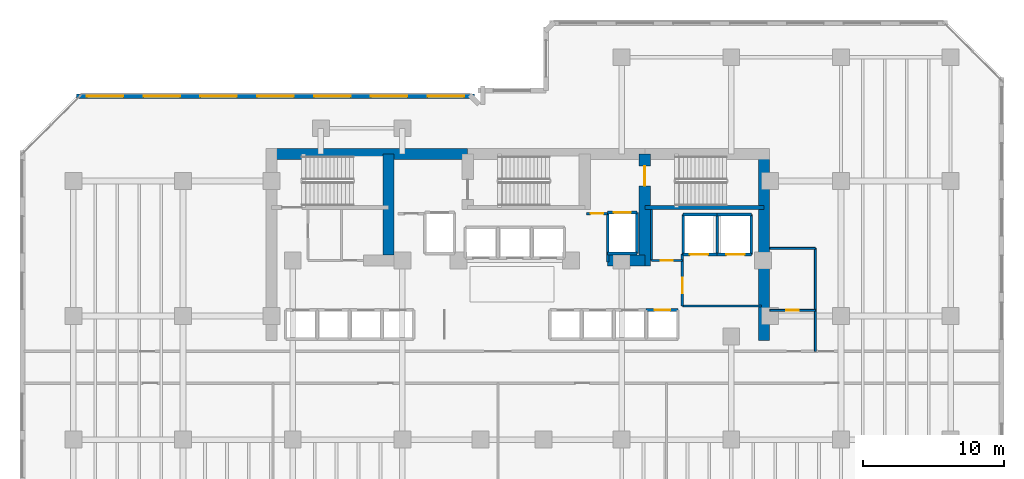
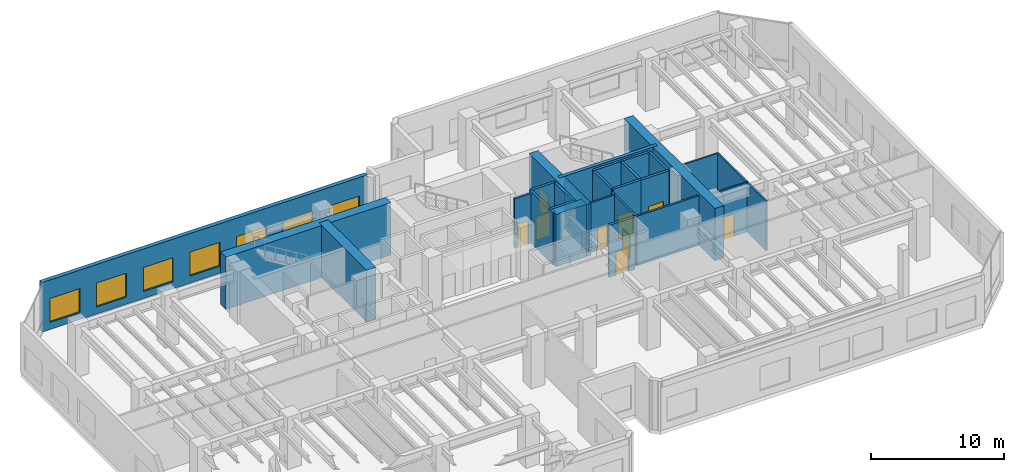
# One storey, part 12 of 17: 27 walls, 9 doors, 7 windows, 16 openings.
"""IFC4 building model written with IfcOpenShell, lengths in metres."""

from ifc_helpers import new_model, si_unit, direction, frame, frame_2d, origin, place, context, subcontext, project, spatial, rectangle, extrude, material, layer, layer_set, type_object, element, fill, save


model = new_model("IFC4")

# Units and contexts
model_context = context("Model", 3, precision=1e-05, world=origin(), true_north=direction((0.0, 1.0)))
body_context = subcontext(model_context, "Body", "Model", "MODEL_VIEW")
ifc_project = project(units=[si_unit("LENGTHUNIT", "METRE"), si_unit("AREAUNIT", "SQUARE_METRE"), si_unit("VOLUMEUNIT", "CUBIC_METRE"), si_unit("PLANEANGLEUNIT", "RADIAN"), si_unit("MASSUNIT", "GRAM", prefix="KILO")], contexts=[model_context])

# Site, building, storey
site_placement = place(None, origin())
site = spatial("IfcSite", under=ifc_project, at=site_placement, CompositionType="ELEMENT")
building_placement = place(site_placement, origin())
building = spatial("IfcBuilding", under=site, at=building_placement, Name="Kestravale Grand Hotel", CompositionType="ELEMENT")
storey_placement = place(building_placement, frame((0.0, 0.0, 129.800048828125)))
storey = spatial("IfcBuildingStorey", under=building, at=storey_placement, Name="L32", CompositionType="ELEMENT", Elevation=129.800048828125)

# Walls
ifc_material_1 = material(Name="Concrete f'c 60 MPa", Category="concrete")
ifc_layer_1 = layer(ifc_material_1, 0.800048828125)
ifc_layer_set_1 = layer_set([ifc_layer_1], Name="EW-CORE-800")
wall_type_1 = type_object("IfcWallType", Name="EW-CORE-800", PredefinedType="SHEAR", material=ifc_layer_set_1)
wall_1_placement = place(storey_placement, frame((21.5, 40.320068359375, 0.0), z_axis=(0.0, 0.0, 1.0), x_axis=(1.0, 0.0, 0.0)))
element("IfcWall", 1, at=wall_1_placement, inside=storey, type_object=wall_type_1, Name="L32 core shear wall N1", PredefinedType="SHEAR", context=body_context, shape_type="SweptSolid", body=[
    extrude(rectangle(XDim=14.35009765625, YDim=0.800048828125, at=frame_2d((7.175048828125, 0.0))), origin(), (0.0, 0.0, 1.0), 4.800048828125),
])
wall_2_placement = place(storey_placement, frame((56.919921875, 27.050048828125, 0.0), z_axis=(0.0, 0.0, 1.0), x_axis=(0.0, 1.0, 0.0)))
element("IfcWall", 2, at=wall_2_placement, inside=storey, type_object=wall_type_1, Name="L32 core shear wall E1", PredefinedType="SHEAR", context=body_context, shape_type="SweptSolid", body=[
    extrude(rectangle(XDim=13.669921875, YDim=0.800048828125, at=frame_2d((6.8349609375, 0.0))), origin(), (0.0, 0.0, 1.0), 4.800048828125),
])
wall_3_placement = place(storey_placement, frame((45.81005859375, 32.75, 0.0), z_axis=(0.0, 0.0, 1.0), x_axis=(1.0, 0.0, 0.0)))
element("IfcWall", 3, at=wall_3_placement, inside=storey, type_object=wall_type_1, Name="L32 core shear wall S2", PredefinedType="SHEAR", context=body_context, shape_type="SweptSolid", body=[
    extrude(rectangle(XDim=2.639892578125, YDim=0.800048828125, at=frame_2d((1.31982421875, 0.0))), origin(), (0.0, 0.0, 1.0), 4.800048828125),
])
wall_4_placement = place(storey_placement, frame((30.219970703125, 33.14990234375, 0.0), z_axis=(0.0, 0.0, 1.0), x_axis=(0.0, 1.0, 0.0)))
element("IfcWall", 4, at=wall_4_placement, inside=storey, type_object=wall_type_1, Name="L32 core shear wall X1", PredefinedType="SHEAR", context=body_context, shape_type="SweptSolid", body=[
    extrude(rectangle(XDim=7.170166015625, YDim=0.800048828125, at=frame_2d((3.5849609375, 0.0))), origin(), (0.0, 0.0, 1.0), 4.800048828125),
])

# Wall, opening, door
wall_5_placement = place(storey_placement, frame((48.449951171875, 32.35009765625, 0.0), z_axis=(0.0, 0.0, 1.0), x_axis=(0.0, 1.0, 0.0)))
wall_5 = element("IfcWall", 5, at=wall_5_placement, inside=storey, type_object=wall_type_1, Name="L32 core shear wall X4", PredefinedType="SHEAR", context=body_context, shape_type="SweptSolid", body=[
    extrude(rectangle(XDim=7.969970703125, YDim=0.800048828125, at=frame_2d((3.98486328125, 0.0))), origin(), (0.0, 0.0, 1.0), 4.800048828125),
])
opening_1_placement = place(wall_5_placement, frame((5.699951171875, 0.0, 0.0)))
opening_1 = element("IfcOpeningElement", 6, at=opening_1_placement, cuts=wall_5, Name="Opening D-ST-1400", PredefinedType="OPENING", context=body_context, shape_type="SweptSolid", body=[
    extrude(rectangle(XDim=1.39990234375, YDim=2.14990234375, at=frame_2d((0.699951171875, 1.074951171875))), frame((0.0, 0.409912109375, 0.0), z_axis=(0.0, -1.0, 0.0), x_axis=(1.0, 0.0, 0.0)), (0.0, 0.0, 1.0), 0.820068359375),
])
ifc_material_2 = material(Name="Galvanised 90-minute fire-rated steel stair door, double leaf", Category="steel")
door_type_1 = type_object("IfcDoorType", Name="D-ST-1400", OperationType="NOTDEFINED", PredefinedType="DOOR", material=ifc_material_2)
door_1_placement = place(opening_1_placement, origin())
door_1 = element("IfcDoor", 7, at=door_1_placement, inside=storey, type_object=door_type_1, Name="L32 Stair ST-3 FSAE fire door", OperationType="DOUBLE_DOOR_SINGLE_SWING", OverallHeight=2.14990234375, OverallWidth=1.39990234375, PredefinedType="DOOR", context=body_context, shape_type="SweptSolid", body=[
    extrude(rectangle(XDim=1.39990234375, YDim=2.14990234375, at=frame_2d((0.699951171875, 1.074951171875))), frame((0.0, 0.02490234375, 0.0), z_axis=(0.0, -1.0, 0.0), x_axis=(1.0, 0.0, 0.0)), (0.0, 0.0, 1.0), 0.050048828125),
])
fill(opening_1, door_1)

# Wall, openings, windows
ifc_material_3 = material(Name="Precast concrete f'c 45 MPa", Category="concrete")
ifc_layer_2 = layer(ifc_material_3, 0.340087890625)
ifc_layer_set_2 = layer_set([ifc_layer_2], Name="EW-PREC-340")
wall_type_2 = type_object("IfcWallType", Name="EW-PREC-340", PredefinedType="SOLIDWALL", material=ifc_layer_set_2)
wall_6_placement = place(storey_placement, frame((36.320068359375, 44.429931640625, 0.0), z_axis=(0.0, 0.0, 1.0), x_axis=(-1.0, 0.0, 0.0)))
wall_6 = element("IfcWall", 8, at=wall_6_placement, inside=storey, type_object=wall_type_2, Name="L32 fluted precast facade wall 17", PredefinedType="SOLIDWALL", context=body_context, shape_type="SweptSolid", body=[
    extrude(rectangle(XDim=28.2900390625, YDim=0.340087890625, at=frame_2d((14.14501953125, 0.0))), origin(), (0.0, 0.0, 1.0), 4.550048828125),
])
opening_2_placement = place(wall_6_placement, frame((0.720703125, 0.0, 0.64990234375)))
opening_2 = element("IfcOpeningElement", 9, at=opening_2_placement, cuts=wall_6, Name="Opening W-SKY-2600", PredefinedType="OPENING", context=body_context, shape_type="SweptSolid", body=[
    extrude(rectangle(XDim=2.60009765625, YDim=2.199951171875, at=frame_2d((1.300048828125, 1.10009765625))), frame((0.0, 0.179931640625, 0.0), z_axis=(0.0, -1.0, 0.0), x_axis=(1.0, 0.0, 0.0)), (0.0, 0.0, 1.0), 0.360107421875),
])
opening_3_placement = place(wall_6_placement, frame((4.76220703125, 0.0, 0.64990234375)))
opening_3 = element("IfcOpeningElement", 10, at=opening_3_placement, cuts=wall_6, Name="Opening W-SKY-2600", PredefinedType="OPENING", context=body_context, shape_type="SweptSolid", body=[
    extrude(rectangle(XDim=2.60009765625, YDim=2.199951171875, at=frame_2d((1.300048828125, 1.10009765625))), frame((0.0, 0.179931640625, 0.0), z_axis=(0.0, -1.0, 0.0), x_axis=(1.0, 0.0, 0.0)), (0.0, 0.0, 1.0), 0.360107421875),
])
opening_4_placement = place(wall_6_placement, frame((8.8037109375, 0.0, 0.64990234375)))
opening_4 = element("IfcOpeningElement", 11, at=opening_4_placement, cuts=wall_6, Name="Opening W-SKY-2600", PredefinedType="OPENING", context=body_context, shape_type="SweptSolid", body=[
    extrude(rectangle(XDim=2.60009765625, YDim=2.199951171875, at=frame_2d((1.300048828125, 1.10009765625))), frame((0.0, 0.179931640625, 0.0), z_axis=(0.0, -1.0, 0.0), x_axis=(1.0, 0.0, 0.0)), (0.0, 0.0, 1.0), 0.360107421875),
])
opening_5_placement = place(wall_6_placement, frame((12.844970703125, 0.0, 0.64990234375)))
opening_5 = element("IfcOpeningElement", 12, at=opening_5_placement, cuts=wall_6, Name="Opening W-SKY-2600", PredefinedType="OPENING", context=body_context, shape_type="SweptSolid", body=[
    extrude(rectangle(XDim=2.60009765625, YDim=2.199951171875, at=frame_2d((1.300048828125, 1.10009765625))), frame((0.0, 0.179931640625, 0.0), z_axis=(0.0, -1.0, 0.0), x_axis=(1.0, 0.0, 0.0)), (0.0, 0.0, 1.0), 0.360107421875),
])
opening_6_placement = place(wall_6_placement, frame((16.886474609375, 0.0, 0.64990234375)))
opening_6 = element("IfcOpeningElement", 13, at=opening_6_placement, cuts=wall_6, Name="Opening W-SKY-2600", PredefinedType="OPENING", context=body_context, shape_type="SweptSolid", body=[
    extrude(rectangle(XDim=2.60009765625, YDim=2.199951171875, at=frame_2d((1.300048828125, 1.10009765625))), frame((0.0, 0.179931640625, 0.0), z_axis=(0.0, -1.0, 0.0), x_axis=(1.0, 0.0, 0.0)), (0.0, 0.0, 1.0), 0.360107421875),
])
opening_7_placement = place(wall_6_placement, frame((20.927978515625, 0.0, 0.64990234375)))
opening_7 = element("IfcOpeningElement", 14, at=opening_7_placement, cuts=wall_6, Name="Opening W-SKY-2600", PredefinedType="OPENING", context=body_context, shape_type="SweptSolid", body=[
    extrude(rectangle(XDim=2.60009765625, YDim=2.199951171875, at=frame_2d((1.300048828125, 1.10009765625))), frame((0.0, 0.179931640625, 0.0), z_axis=(0.0, -1.0, 0.0), x_axis=(1.0, 0.0, 0.0)), (0.0, 0.0, 1.0), 0.360107421875),
])
opening_8_placement = place(wall_6_placement, frame((24.96923828125, 0.0, 0.64990234375)))
opening_8 = element("IfcOpeningElement", 15, at=opening_8_placement, cuts=wall_6, Name="Opening W-SKY-2600", PredefinedType="OPENING", context=body_context, shape_type="SweptSolid", body=[
    extrude(rectangle(XDim=2.60009765625, YDim=2.199951171875, at=frame_2d((1.300048828125, 1.10009765625))), frame((0.0, 0.179931640625, 0.0), z_axis=(0.0, -1.0, 0.0), x_axis=(1.0, 0.0, 0.0)), (0.0, 0.0, 1.0), 0.360107421875),
])
ifc_material_4 = material(Name="Insulated low-E double glazing in aluminium frame", Category="aluminium")
window_type = type_object("IfcWindowType", Name="W-SKY-2600", PartitioningType="TRIPLE_PANEL_VERTICAL", PredefinedType="WINDOW", material=ifc_material_4)
window_1_placement = place(opening_2_placement, origin())
window_1 = element("IfcWindow", 16, at=window_1_placement, inside=storey, type_object=window_type, Name="L32 exterior window 17.1", OverallHeight=2.199951171875, OverallWidth=2.60009765625, PartitioningType="SINGLE_PANEL", PredefinedType="WINDOW", context=body_context, shape_type="SweptSolid", body=[
    extrude(rectangle(XDim=2.60009765625, YDim=2.199951171875, at=frame_2d((1.300048828125, 1.10009765625))), frame((0.0, 0.030029296875, 0.0), z_axis=(0.0, -1.0, 0.0), x_axis=(1.0, 0.0, 0.0)), (0.0, 0.0, 1.0), 0.06005859375),
])
fill(opening_2, window_1)
window_2_placement = place(opening_3_placement, origin())
window_2 = element("IfcWindow", 17, at=window_2_placement, inside=storey, type_object=window_type, Name="L32 exterior window 17.2", OverallHeight=2.199951171875, OverallWidth=2.60009765625, PartitioningType="SINGLE_PANEL", PredefinedType="WINDOW", context=body_context, shape_type="SweptSolid", body=[
    extrude(rectangle(XDim=2.60009765625, YDim=2.199951171875, at=frame_2d((1.300048828125, 1.10009765625))), frame((0.0, 0.030029296875, 0.0), z_axis=(0.0, -1.0, 0.0), x_axis=(1.0, 0.0, 0.0)), (0.0, 0.0, 1.0), 0.06005859375),
])
fill(opening_3, window_2)
window_3_placement = place(opening_4_placement, origin())
window_3 = element("IfcWindow", 18, at=window_3_placement, inside=storey, type_object=window_type, Name="L32 exterior window 17.3", OverallHeight=2.199951171875, OverallWidth=2.60009765625, PartitioningType="SINGLE_PANEL", PredefinedType="WINDOW", context=body_context, shape_type="SweptSolid", body=[
    extrude(rectangle(XDim=2.60009765625, YDim=2.199951171875, at=frame_2d((1.300048828125, 1.10009765625))), frame((0.0, 0.030029296875, 0.0), z_axis=(0.0, -1.0, 0.0), x_axis=(1.0, 0.0, 0.0)), (0.0, 0.0, 1.0), 0.06005859375),
])
fill(opening_4, window_3)
window_4_placement = place(opening_5_placement, origin())
window_4 = element("IfcWindow", 19, at=window_4_placement, inside=storey, type_object=window_type, Name="L32 exterior window 17.4", OverallHeight=2.199951171875, OverallWidth=2.60009765625, PartitioningType="SINGLE_PANEL", PredefinedType="WINDOW", context=body_context, shape_type="SweptSolid", body=[
    extrude(rectangle(XDim=2.60009765625, YDim=2.199951171875, at=frame_2d((1.300048828125, 1.10009765625))), frame((0.0, 0.030029296875, 0.0), z_axis=(0.0, -1.0, 0.0), x_axis=(1.0, 0.0, 0.0)), (0.0, 0.0, 1.0), 0.06005859375),
])
fill(opening_5, window_4)
window_5_placement = place(opening_6_placement, origin())
window_5 = element("IfcWindow", 20, at=window_5_placement, inside=storey, type_object=window_type, Name="L32 exterior window 17.5", OverallHeight=2.199951171875, OverallWidth=2.60009765625, PartitioningType="SINGLE_PANEL", PredefinedType="WINDOW", context=body_context, shape_type="SweptSolid", body=[
    extrude(rectangle(XDim=2.60009765625, YDim=2.199951171875, at=frame_2d((1.300048828125, 1.10009765625))), frame((0.0, 0.030029296875, 0.0), z_axis=(0.0, -1.0, 0.0), x_axis=(1.0, 0.0, 0.0)), (0.0, 0.0, 1.0), 0.06005859375),
])
fill(opening_6, window_5)
window_6_placement = place(opening_7_placement, origin())
window_6 = element("IfcWindow", 21, at=window_6_placement, inside=storey, type_object=window_type, Name="L32 exterior window 17.6", OverallHeight=2.199951171875, OverallWidth=2.60009765625, PartitioningType="SINGLE_PANEL", PredefinedType="WINDOW", context=body_context, shape_type="SweptSolid", body=[
    extrude(rectangle(XDim=2.60009765625, YDim=2.199951171875, at=frame_2d((1.300048828125, 1.10009765625))), frame((0.0, 0.030029296875, 0.0), z_axis=(0.0, -1.0, 0.0), x_axis=(1.0, 0.0, 0.0)), (0.0, 0.0, 1.0), 0.06005859375),
])
fill(opening_7, window_6)
window_7_placement = place(opening_8_placement, origin())
window_7 = element("IfcWindow", 22, at=window_7_placement, inside=storey, type_object=window_type, Name="L32 exterior window 17.7", OverallHeight=2.199951171875, OverallWidth=2.60009765625, PartitioningType="SINGLE_PANEL", PredefinedType="WINDOW", context=body_context, shape_type="SweptSolid", body=[
    extrude(rectangle(XDim=2.60009765625, YDim=2.199951171875, at=frame_2d((1.300048828125, 1.10009765625))), frame((0.0, 0.030029296875, 0.0), z_axis=(0.0, -1.0, 0.0), x_axis=(1.0, 0.0, 0.0)), (0.0, 0.0, 1.0), 0.06005859375),
])
fill(opening_8, window_7)

# Wall
ifc_material_5 = material(Name="Concrete f'c 45 MPa", Category="concrete")
ifc_layer_3 = layer(ifc_material_5, 0.300048828125)
ifc_layer_set_3 = layer_set([ifc_layer_3], Name="EW-STAIR-300")
wall_type_3 = type_object("IfcWallType", Name="EW-STAIR-300", PredefinedType="SHEAR", material=ifc_layer_set_3)
wall_7_placement = place(storey_placement, frame((48.449951171875, 36.52001953125, 0.0), z_axis=(0.0, 0.0, 1.0), x_axis=(1.0, 0.0, 0.0)))
element("IfcWall", 23, at=wall_7_placement, inside=storey, type_object=wall_type_3, Name="L32 stair enclosure shear wall SST3", PredefinedType="SHEAR", context=body_context, shape_type="SweptSolid", body=[
    extrude(rectangle(XDim=8.469970703125, YDim=0.300048828125, at=frame_2d((4.23486328125, 0.0))), origin(), (0.0, 0.0, 1.0), 4.800048828125),
])

# Wall, opening, door
ifc_material_6 = material(Name="Acoustic fire-rated gypsum board partition", Category="other")
ifc_layer_4 = layer(ifc_material_6, 0.159912109375)
ifc_layer_set_4 = layer_set([ifc_layer_4], Name="IW-CORR-160")
wall_type_4 = type_object("IfcWallType", Name="IW-CORR-160", PredefinedType="PARTITIONING", material=ifc_layer_set_4)
wall_8_placement = place(storey_placement, frame((51.1201171875, 29.5, 0.0), z_axis=(0.0, 0.0, 1.0), x_axis=(0.0, 1.0, 0.0)))
wall_8 = element("IfcWall", 24, at=wall_8_placement, inside=storey, type_object=wall_type_4, Name="W-L32-SVCLOB-W", PredefinedType="PARTITIONING", context=body_context, shape_type="SweptSolid", body=[
    extrude(rectangle(XDim=3.699951171875, YDim=0.159912109375, at=frame_2d((1.85009765625, 0.0))), origin(), (0.0, 0.0, 1.0), 4.550048828125),
])
opening_9_placement = place(wall_8_placement, frame((0.89990234375, 0.0, 0.0)))
opening_9 = element("IfcOpeningElement", 25, at=opening_9_placement, cuts=wall_8, Name="Opening D-CORR-1100", PredefinedType="OPENING", context=body_context, shape_type="SweptSolid", body=[
    extrude(rectangle(XDim=1.10009765625, YDim=2.14990234375, at=frame_2d((0.550048828125, 1.074951171875))), frame((0.0, 0.08984375, 0.0), z_axis=(0.0, -1.0, 0.0), x_axis=(1.0, 0.0, 0.0)), (0.0, 0.0, 1.0), 0.179931640625),
])
ifc_material_7 = material(Name="Single-leaf service vestibule fire door", Category="steel")
door_type_2 = type_object("IfcDoorType", Name="D-CORR-1100", OperationType="NOTDEFINED", PredefinedType="DOOR", material=ifc_material_7)
door_2_placement = place(opening_9_placement, origin())
door_2 = element("IfcDoor", 26, at=door_2_placement, inside=storey, type_object=door_type_2, Name="L32 service lift lobby door", OperationType="SINGLE_SWING_LEFT", OverallHeight=2.14990234375, OverallWidth=1.10009765625, PredefinedType="DOOR", context=body_context, shape_type="SweptSolid", body=[
    extrude(rectangle(XDim=1.10009765625, YDim=2.14990234375, at=frame_2d((0.550048828125, 1.074951171875))), frame((0.0, 0.02490234375, 0.0), z_axis=(0.0, -1.0, 0.0), x_axis=(1.0, 0.0, 0.0)), (0.0, 0.0, 1.0), 0.050048828125),
])
fill(opening_9, door_2)

# Wall
wall_9_placement = place(storey_placement, frame((51.1201171875, 29.5, 0.0), z_axis=(0.0, 0.0, 1.0), x_axis=(1.0, 0.0, 0.0)))
element("IfcWall", 27, at=wall_9_placement, inside=storey, type_object=wall_type_4, Name="L32 service lift lobby wall", PredefinedType="PARTITIONING", context=body_context, shape_type="SweptSolid", body=[
    extrude(rectangle(XDim=5.6298828125, YDim=0.159912109375, at=frame_2d((2.81494140625, 0.0))), origin(), (0.0, 0.0, 1.0), 4.550048828125),
])

# Wall, opening, door
wall_10_placement = place(storey_placement, frame((48.919921875, 32.75, 0.0), z_axis=(0.0, 0.0, 1.0), x_axis=(1.0, 0.0, 0.0)))
wall_10 = element("IfcWall", 28, at=wall_10_placement, inside=storey, type_object=wall_type_4, Name="W-L32-CES", PredefinedType="PARTITIONING", context=body_context, shape_type="SweptSolid", body=[
    extrude(rectangle(XDim=2.2001953125, YDim=0.159912109375, at=frame_2d((1.10009765625, 0.0))), origin(), (0.0, 0.0, 1.0), 4.550048828125),
])
opening_10_placement = place(wall_10_placement, frame((0.64990234375, 0.0, 0.0)))
opening_10 = element("IfcOpeningElement", 29, at=opening_10_placement, cuts=wall_10, Name="Opening D-SH-860", PredefinedType="OPENING", context=body_context, shape_type="SweptSolid", body=[
    extrude(rectangle(XDim=0.860107421875, YDim=2.050048828125, at=frame_2d((0.43017578125, 1.02490234375))), frame((0.0, 0.08984375, 0.0), z_axis=(0.0, -1.0, 0.0), x_axis=(1.0, 0.0, 0.0)), (0.0, 0.0, 1.0), 0.179931640625),
])
ifc_material_8 = material(Name="Galvanised 90-minute riser fire door", Category="steel")
door_type_3 = type_object("IfcDoorType", Name="D-SH-860", OperationType="NOTDEFINED", PredefinedType="DOOR", material=ifc_material_8)
door_3_placement = place(opening_10_placement, origin())
door_3 = element("IfcDoor", 30, at=door_3_placement, inside=storey, type_object=door_type_3, Name="L32 CSTO1 door", OperationType="SINGLE_SWING_RIGHT", OverallHeight=2.050048828125, OverallWidth=0.860107421875, PredefinedType="DOOR", context=body_context, shape_type="SweptSolid", body=[
    extrude(rectangle(XDim=0.860107421875, YDim=2.050048828125, at=frame_2d((0.43017578125, 1.02490234375))), frame((0.0, 0.02490234375, 0.0), z_axis=(0.0, -1.0, 0.0), x_axis=(1.0, 0.0, 0.0)), (0.0, 0.0, 1.0), 0.050048828125),
])
fill(opening_10, door_3)

ifc_material_9 = material(Name="Fire-rated gypsum board on steel studs with mineral wool", Category="steel")
ifc_layer_5 = layer(ifc_material_9, 0.179931640625)
ifc_layer_set_5 = layer_set([ifc_layer_5], Name="IW-FSAE-180")
wall_type_5 = type_object("IfcWallType", Name="IW-FSAE-180", PredefinedType="PARTITIONING", material=ifc_layer_set_5)
wall_11_placement = place(storey_placement, frame((44.300048828125, 36.080078125, 0.0), z_axis=(0.0, 0.0, 1.0), x_axis=(1.0, 0.0, 0.0)))
wall_11 = element("IfcWall", 31, at=wall_11_placement, inside=storey, type_object=wall_type_5, Name="L32 FSAE Lobby 2 smoke barrier", PredefinedType="PARTITIONING", context=body_context, shape_type="SweptSolid", body=[
    extrude(rectangle(XDim=1.5, YDim=0.179931640625, at=frame_2d((0.75, 0.0))), origin(), (0.0, 0.0, 1.0), 4.550048828125),
])
opening_11_placement = place(wall_11_placement, frame((0.300048828125, 0.0, 0.0)))
opening_11 = element("IfcOpeningElement", 32, at=opening_11_placement, cuts=wall_11, Name="Opening D-FSAE-1000", PredefinedType="OPENING", context=body_context, shape_type="SweptSolid", body=[
    extrude(rectangle(XDim=0.89990234375, YDim=2.14990234375, at=frame_2d((0.449951171875, 1.074951171875))), frame((0.0, 0.099853515625, 0.0), z_axis=(0.0, -1.0, 0.0), x_axis=(1.0, 0.0, 0.0)), (0.0, 0.0, 1.0), 0.199951171875),
])
ifc_material_10 = material(Name="Smoke-gasketed FSAE lobby fire door", Category="steel")
door_type_4 = type_object("IfcDoorType", Name="D-FSAE-1000", OperationType="NOTDEFINED", PredefinedType="DOOR", material=ifc_material_10)
door_4_placement = place(opening_11_placement, origin())
door_4 = element("IfcDoor", 33, at=door_4_placement, inside=storey, type_object=door_type_4, Name="L32 FSAE Lobby 2 fire door", OperationType="SINGLE_SWING_LEFT", OverallHeight=2.14990234375, OverallWidth=0.89990234375, PredefinedType="DOOR", context=body_context, shape_type="SweptSolid", body=[
    extrude(rectangle(XDim=0.89990234375, YDim=2.14990234375, at=frame_2d((0.449951171875, 1.074951171875))), frame((0.0, 0.02490234375, 0.0), z_axis=(0.0, -1.0, 0.0), x_axis=(1.0, 0.0, 0.0)), (0.0, 0.0, 1.0), 0.050048828125),
])
fill(opening_11, door_4)

# Wall
ifc_material_11 = material(Name="Moisture-resistant tile-backer plumbing chase wall", Category="other")
ifc_layer_6 = layer(ifc_material_11, 0.139892578125)
ifc_layer_set_6 = layer_set([ifc_layer_6], Name="IW-PLB-140")
wall_type_6 = type_object("IfcWallType", Name="IW-PLB-140", PredefinedType="PLUMBINGWALL", material=ifc_layer_set_6)
wall_12_placement = place(storey_placement, frame((60.580078125, 26.280029296875, 0.0), z_axis=(0.0, 0.0, 1.0), x_axis=(0.0, 1.0, 0.0)))
element("IfcWall", 34, at=wall_12_placement, inside=storey, type_object=wall_type_6, Name="W-L32-NEV", PredefinedType="PLUMBINGWALL", context=body_context, shape_type="SweptSolid", body=[
    extrude(rectangle(XDim=7.320068359375, YDim=0.139892578125, at=frame_2d((3.66015625, 0.0))), origin(), (0.0, 0.0, 1.0), 4.550048828125),
])

# Wall, opening, door
wall_13_placement = place(storey_placement, frame((57.35009765625, 29.199951171875, 0.0), z_axis=(0.0, 0.0, 1.0), x_axis=(1.0, 0.0, 0.0)))
wall_13 = element("IfcWall", 35, at=wall_13_placement, inside=storey, type_object=wall_type_6, Name="W-L32-NE1", PredefinedType="PLUMBINGWALL", context=body_context, shape_type="SweptSolid", body=[
    extrude(rectangle(XDim=3.22998046875, YDim=0.139892578125, at=frame_2d((1.614990234375, 0.0))), origin(), (0.0, 0.0, 1.0), 4.550048828125),
])
opening_12_placement = place(wall_13_placement, frame((1.175048828125, 0.0, 0.0)))
opening_12 = element("IfcOpeningElement", 36, at=opening_12_placement, cuts=wall_13, Name="Opening D-BATH-880", PredefinedType="OPENING", context=body_context, shape_type="SweptSolid", body=[
    extrude(rectangle(XDim=0.8798828125, YDim=2.050048828125, at=frame_2d((0.43994140625, 1.02490234375))), frame((0.0, 0.079833984375, 0.0), z_axis=(0.0, -1.0, 0.0), x_axis=(1.0, 0.0, 0.0)), (0.0, 0.0, 1.0), 0.159912109375),
])
ifc_material_12 = material(Name="Moisture-sealed walnut en-suite bathroom door", Category="wood")
door_type_5 = type_object("IfcDoorType", Name="D-BATH-880", OperationType="NOTDEFINED", PredefinedType="DOOR", material=ifc_material_12)
door_5_placement = place(opening_12_placement, origin())
door_5 = element("IfcDoor", 37, at=door_5_placement, inside=storey, type_object=door_type_5, Name="D-L32-WCM", OperationType="SINGLE_SWING_RIGHT", OverallHeight=2.050048828125, OverallWidth=0.8798828125, PredefinedType="DOOR", context=body_context, shape_type="SweptSolid", body=[
    extrude(rectangle(XDim=0.8798828125, YDim=2.050048828125, at=frame_2d((0.43994140625, 1.02490234375))), frame((0.0, 0.02490234375, 0.0), z_axis=(0.0, -1.0, 0.0), x_axis=(1.0, 0.0, 0.0)), (0.0, 0.0, 1.0), 0.050048828125),
])
fill(opening_12, door_5)

# Walls
wall_14_placement = place(storey_placement, frame((57.35009765625, 33.60009765625, 0.0), z_axis=(0.0, 0.0, 1.0), x_axis=(1.0, 0.0, 0.0)))
element("IfcWall", 38, at=wall_14_placement, inside=storey, type_object=wall_type_6, Name="W-L32-NE2", PredefinedType="PLUMBINGWALL", context=body_context, shape_type="SweptSolid", body=[
    extrude(rectangle(XDim=3.22998046875, YDim=0.139892578125, at=frame_2d((1.614990234375, 0.0))), origin(), (0.0, 0.0, 1.0), 4.550048828125),
])
ifc_material_13 = material(Name="Concrete f'c 45 MPa", Category="concrete")
ifc_layer_7 = layer(ifc_material_13, 0.199951171875)
ifc_layer_set_7 = layer_set([ifc_layer_7], Name="IW-SHAFT-200")
wall_type_7 = type_object("IfcWallType", Name="IW-SHAFT-200", PredefinedType="SHEAR", material=ifc_layer_set_7)
for number, where, z_axis, x_axis, name in (
    (39, (51.179931640625, 33.169921875, 0.0), (0.0, 0.0, 1.0), (0.0, 1.0, 0.0), "L32 SL-1 west shaft wall"),
    (40, (53.60009765625, 33.169921875, 0.0), (0.0, 0.0, 1.0), (0.0, 1.0, 0.0), "L32 SL-2 west shaft wall"),
    (41, (56.02001953125, 33.169921875, 0.0), (0.0, 0.0, 1.0), (0.0, 1.0, 0.0), "L32 SL-2 east shaft wall"),
):
    element("IfcWall", number, at=place(storey_placement, frame(where, z_axis=z_axis, x_axis=x_axis)), inside=storey, type_object=wall_type_7, Name=name, PredefinedType="SHEAR", context=body_context, shape_type="SweptSolid", body=[
        extrude(rectangle(XDim=2.860107421875, YDim=0.199951171875, at=frame_2d((1.43017578125, 0.0))), origin(), (0.0, 0.0, 1.0), 4.800048828125),
    ])
wall_15_placement = place(storey_placement, frame((45.804931640625, 32.64990234375, 0.0), z_axis=(0.0, 0.0, 1.0), x_axis=(0.0, 1.0, 0.0)))
element("IfcWall", 42, at=wall_15_placement, inside=storey, type_object=wall_type_7, Name="L32 FL-2 west shaft wall", PredefinedType="SHEAR", context=body_context, shape_type="SweptSolid", body=[
    extrude(rectangle(XDim=3.505126953125, YDim=0.199951171875, at=frame_2d((1.75244140625, 0.0))), origin(), (0.0, 0.0, 1.0), 4.800048828125),
])
wall_16_placement = place(storey_placement, frame((47.89501953125, 33.2451171875, 0.0), z_axis=(0.0, 0.0, 1.0), x_axis=(0.0, 1.0, 0.0)))
element("IfcWall", 43, at=wall_16_placement, inside=storey, type_object=wall_type_7, Name="L32 FL-2 east shaft wall", PredefinedType="SHEAR", context=body_context, shape_type="SweptSolid", body=[
    extrude(rectangle(XDim=2.909912109375, YDim=0.199951171875, at=frame_2d((1.455078125, 0.0))), origin(), (0.0, 0.0, 1.0), 4.800048828125),
])

# Wall, opening, door
ifc_material_14 = material(Name="Concrete f'c 45 MPa", Category="concrete")
ifc_layer_8 = layer(ifc_material_14, 0.219970703125)
ifc_layer_set_8 = layer_set([ifc_layer_8], Name="IW-SHAFT-220")
wall_type_8 = type_object("IfcWallType", Name="IW-SHAFT-220", PredefinedType="SHEAR", material=ifc_layer_set_8)
wall_17_placement = place(storey_placement, frame((48.550048828125, 29.22998046875, 0.0), z_axis=(0.0, 0.0, 1.0), x_axis=(1.0, 0.0, 0.0)))
wall_17 = element("IfcWall", 44, at=wall_17_placement, inside=storey, type_object=wall_type_8, Name="L32 PL-M4 north shaft wall", PredefinedType="SHEAR", context=body_context, shape_type="SweptSolid", body=[
    extrude(rectangle(XDim=2.244873046875, YDim=0.219970703125, at=frame_2d((1.12255859375, 0.0))), origin(), (0.0, 0.0, 1.0), 4.800048828125),
])
opening_13_placement = place(wall_17_placement, frame((0.60009765625, 0.0, 0.0)))
opening_13 = element("IfcOpeningElement", 45, at=opening_13_placement, cuts=wall_17, Name="Opening LD-PAX-1100", PredefinedType="OPENING", context=body_context, shape_type="SweptSolid", body=[
    extrude(rectangle(XDim=1.10009765625, YDim=2.14990234375, at=frame_2d((0.550048828125, 1.074951171875))), frame((0.0, 0.119873046875, 0.0), z_axis=(0.0, -1.0, 0.0), x_axis=(1.0, 0.0, 0.0)), (0.0, 0.0, 1.0), 0.239990234375),
])
ifc_material_15 = material(Name="Champagne-bronze center-opening sliding elevator landing door", Category="steel")
door_type_6 = type_object("IfcDoorType", Name="LD-PAX-1100", OperationType="NOTDEFINED", PredefinedType="DOOR", material=ifc_material_15)
door_6_placement = place(opening_13_placement, origin())
door_6 = element("IfcDoor", 46, at=door_6_placement, inside=storey, type_object=door_type_6, Name="L32 PL-M4 elevator landing sliding door", OperationType="DOUBLE_DOOR_SLIDING", OverallHeight=2.14990234375, OverallWidth=1.10009765625, PredefinedType="DOOR", context=body_context, shape_type="SweptSolid", body=[
    extrude(rectangle(XDim=1.10009765625, YDim=2.14990234375, at=frame_2d((0.550048828125, 1.074951171875))), frame((0.0, 0.02490234375, 0.0), z_axis=(0.0, -1.0, 0.0), x_axis=(1.0, 0.0, 0.0)), (0.0, 0.0, 1.0), 0.050048828125),
])
fill(opening_13, door_6)

# Wall
wall_18_placement = place(storey_placement, frame((51.179931640625, 36.030029296875, 0.0), z_axis=(0.0, 0.0, 1.0), x_axis=(1.0, 0.0, 0.0)))
element("IfcWall", 47, at=wall_18_placement, inside=storey, type_object=wall_type_8, Name="L32 SL-1 north shaft wall", PredefinedType="SHEAR", context=body_context, shape_type="SweptSolid", body=[
    extrude(rectangle(XDim=2.420166015625, YDim=0.219970703125, at=frame_2d((1.2099609375, 0.0))), origin(), (0.0, 0.0, 1.0), 4.800048828125),
])

# Wall, opening, door
wall_19_placement = place(storey_placement, frame((51.179931640625, 33.169921875, 0.0), z_axis=(0.0, 0.0, 1.0), x_axis=(1.0, 0.0, 0.0)))
wall_19 = element("IfcWall", 48, at=wall_19_placement, inside=storey, type_object=wall_type_8, Name="L32 SL-1 south shaft wall", PredefinedType="SHEAR", context=body_context, shape_type="SweptSolid", body=[
    extrude(rectangle(XDim=2.420166015625, YDim=0.219970703125, at=frame_2d((1.2099609375, 0.0))), origin(), (0.0, 0.0, 1.0), 4.800048828125),
])
opening_14_placement = place(wall_19_placement, frame((0.469970703125, 0.0, 0.0)))
opening_14 = element("IfcOpeningElement", 49, at=opening_14_placement, cuts=wall_19, Name="Opening LD-SVC-1300", PredefinedType="OPENING", context=body_context, shape_type="SweptSolid", body=[
    extrude(rectangle(XDim=1.300048828125, YDim=2.14990234375, at=frame_2d((0.64990234375, 1.074951171875))), frame((0.0, 0.119873046875, 0.0), z_axis=(0.0, -1.0, 0.0), x_axis=(1.0, 0.0, 0.0)), (0.0, 0.0, 1.0), 0.239990234375),
])
ifc_material_16 = material(Name="Heavy-duty service sliding elevator landing door", Category="steel")
door_type_7 = type_object("IfcDoorType", Name="LD-SVC-1300", OperationType="NOTDEFINED", PredefinedType="DOOR", material=ifc_material_16)
door_7_placement = place(opening_14_placement, origin())
door_7 = element("IfcDoor", 50, at=door_7_placement, inside=storey, type_object=door_type_7, Name="L32 SL-1 elevator landing sliding door", OperationType="DOUBLE_DOOR_SLIDING", OverallHeight=2.14990234375, OverallWidth=1.300048828125, PredefinedType="DOOR", context=body_context, shape_type="SweptSolid", body=[
    extrude(rectangle(XDim=1.300048828125, YDim=2.14990234375, at=frame_2d((0.64990234375, 1.074951171875))), frame((0.0, 0.02490234375, 0.0), z_axis=(0.0, -1.0, 0.0), x_axis=(1.0, 0.0, 0.0)), (0.0, 0.0, 1.0), 0.050048828125),
])
fill(opening_14, door_7)

# Wall
wall_20_placement = place(storey_placement, frame((53.60009765625, 36.030029296875, 0.0), z_axis=(0.0, 0.0, 1.0), x_axis=(1.0, 0.0, 0.0)))
element("IfcWall", 51, at=wall_20_placement, inside=storey, type_object=wall_type_8, Name="L32 SL-2 north shaft wall", PredefinedType="SHEAR", context=body_context, shape_type="SweptSolid", body=[
    extrude(rectangle(XDim=2.419921875, YDim=0.219970703125, at=frame_2d((1.2099609375, 0.0))), origin(), (0.0, 0.0, 1.0), 4.800048828125),
])

# Wall, opening, door
wall_21_placement = place(storey_placement, frame((53.60009765625, 33.169921875, 0.0), z_axis=(0.0, 0.0, 1.0), x_axis=(1.0, 0.0, 0.0)))
wall_21 = element("IfcWall", 52, at=wall_21_placement, inside=storey, type_object=wall_type_8, Name="L32 SL-2 south shaft wall", PredefinedType="SHEAR", context=body_context, shape_type="SweptSolid", body=[
    extrude(rectangle(XDim=2.419921875, YDim=0.219970703125, at=frame_2d((1.2099609375, 0.0))), origin(), (0.0, 0.0, 1.0), 4.800048828125),
])
opening_15_placement = place(wall_21_placement, frame((0.64990234375, 0.0, 0.0)))
opening_15 = element("IfcOpeningElement", 53, at=opening_15_placement, cuts=wall_21, Name="Opening LD-SVC-1300", PredefinedType="OPENING", context=body_context, shape_type="SweptSolid", body=[
    extrude(rectangle(XDim=1.300048828125, YDim=2.14990234375, at=frame_2d((0.64990234375, 1.074951171875))), frame((0.0, 0.119873046875, 0.0), z_axis=(0.0, -1.0, 0.0), x_axis=(1.0, 0.0, 0.0)), (0.0, 0.0, 1.0), 0.239990234375),
])
door_8_placement = place(opening_15_placement, origin())
door_8 = element("IfcDoor", 54, at=door_8_placement, inside=storey, type_object=door_type_7, Name="L32 SL-2 elevator landing sliding door", OperationType="DOUBLE_DOOR_SLIDING", OverallHeight=2.14990234375, OverallWidth=1.300048828125, PredefinedType="DOOR", context=body_context, shape_type="SweptSolid", body=[
    extrude(rectangle(XDim=1.300048828125, YDim=2.14990234375, at=frame_2d((0.64990234375, 1.074951171875))), frame((0.0, 0.02490234375, 0.0), z_axis=(0.0, -1.0, 0.0), x_axis=(1.0, 0.0, 0.0)), (0.0, 0.0, 1.0), 0.050048828125),
])
fill(opening_15, door_8)

wall_22_placement = place(storey_placement, frame((45.804931640625, 36.155029296875, 0.0), z_axis=(0.0, 0.0, 1.0), x_axis=(1.0, 0.0, 0.0)))
wall_22 = element("IfcWall", 55, at=wall_22_placement, inside=storey, type_object=wall_type_8, Name="L32 FL-2 north shaft wall", PredefinedType="SHEAR", context=body_context, shape_type="SweptSolid", body=[
    extrude(rectangle(XDim=2.090087890625, YDim=0.219970703125, at=frame_2d((1.044921875, 0.0))), origin(), (0.0, 0.0, 1.0), 4.800048828125),
])
opening_16_placement = place(wall_22_placement, frame((0.445068359375, 0.0, 0.0)))
opening_16 = element("IfcOpeningElement", 56, at=opening_16_placement, cuts=wall_22, Name="Opening LD-FSAE-1200", PredefinedType="OPENING", context=body_context, shape_type="SweptSolid", body=[
    extrude(rectangle(XDim=1.199951171875, YDim=2.14990234375, at=frame_2d((0.60009765625, 1.074951171875))), frame((0.0, 0.119873046875, 0.0), z_axis=(0.0, -1.0, 0.0), x_axis=(1.0, 0.0, 0.0)), (0.0, 0.0, 1.0), 0.239990234375),
])
ifc_material_17 = material(Name="Stainless fire-service sliding elevator landing door", Category="steel")
door_type_8 = type_object("IfcDoorType", Name="LD-FSAE-1200", OperationType="NOTDEFINED", PredefinedType="DOOR", material=ifc_material_17)
door_9_placement = place(opening_16_placement, origin())
door_9 = element("IfcDoor", 57, at=door_9_placement, inside=storey, type_object=door_type_8, Name="L32 FL-2 elevator landing sliding door", OperationType="DOUBLE_DOOR_SLIDING", OverallHeight=2.14990234375, OverallWidth=1.199951171875, PredefinedType="DOOR", context=body_context, shape_type="SweptSolid", body=[
    extrude(rectangle(XDim=1.199951171875, YDim=2.14990234375, at=frame_2d((0.60009765625, 1.074951171875))), frame((0.0, 0.02490234375, 0.0), z_axis=(0.0, -1.0, 0.0), x_axis=(1.0, 0.0, 0.0)), (0.0, 0.0, 1.0), 0.050048828125),
])
fill(opening_16, door_9)

# Walls
wall_23_placement = place(storey_placement, frame((45.804931640625, 33.2451171875, 0.0), z_axis=(0.0, 0.0, 1.0), x_axis=(1.0, 0.0, 0.0)))
element("IfcWall", 58, at=wall_23_placement, inside=storey, type_object=wall_type_8, Name="L32 FL-2 south shaft wall", PredefinedType="SHEAR", context=body_context, shape_type="SweptSolid", body=[
    extrude(rectangle(XDim=2.090087890625, YDim=0.219970703125, at=frame_2d((1.044921875, 0.0))), origin(), (0.0, 0.0, 1.0), 4.800048828125),
])
ifc_material_18 = material(Name="Double-stud STC 52 acoustic demising partition", Category="other")
ifc_layer_9 = layer(ifc_material_18, 0.14990234375)
ifc_layer_set_9 = layer_set([ifc_layer_9], Name="IW-UNIT-150")
wall_type_9 = type_object("IfcWallType", Name="IW-UNIT-150", PredefinedType="PARTITIONING", material=ifc_layer_set_9)
wall_24_placement = place(storey_placement, frame((48.919921875, 32.75, 0.0), z_axis=(0.0, 0.0, 1.0), x_axis=(0.0, 1.0, 0.0)))
element("IfcWall", 59, at=wall_24_placement, inside=storey, type_object=wall_type_9, Name="W-L32-CEW", PredefinedType="PARTITIONING", context=body_context, shape_type="SweptSolid", body=[
    extrude(rectangle(XDim=3.6201171875, YDim=0.14990234375, at=frame_2d((1.81005859375, 0.0))), origin(), (0.0, 0.0, 1.0), 4.550048828125),
])

save(model, "model.ifc")
